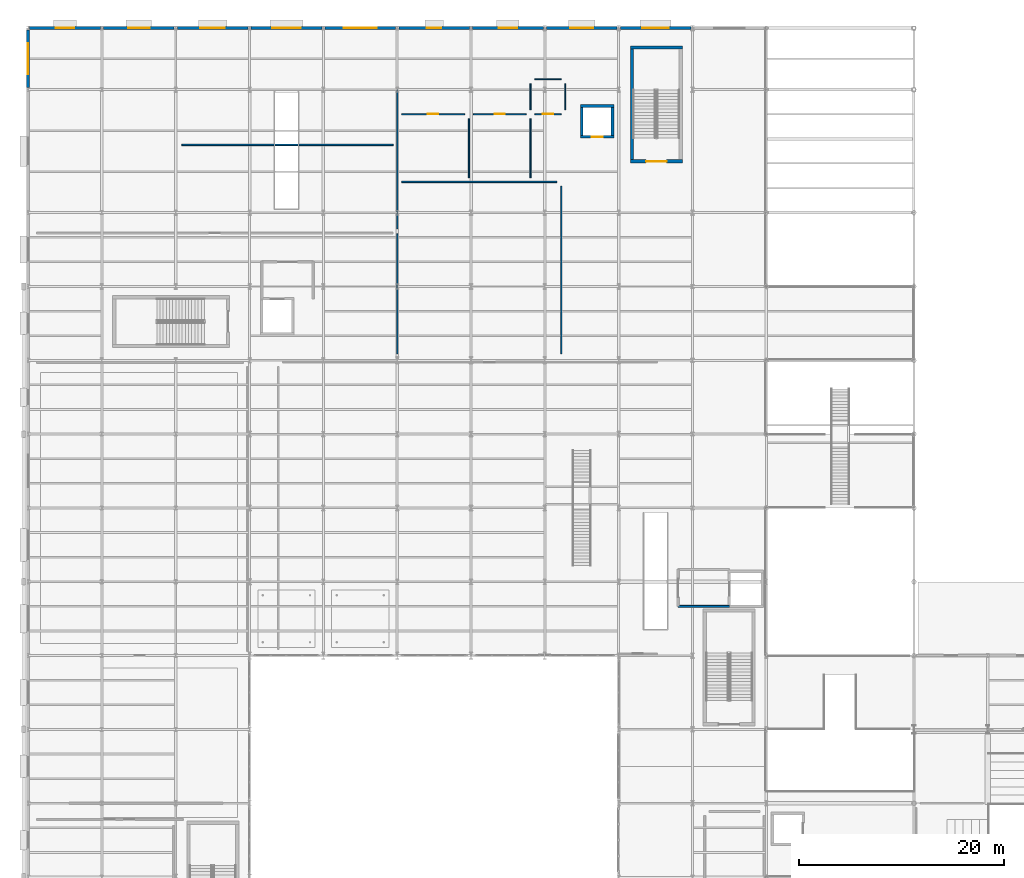
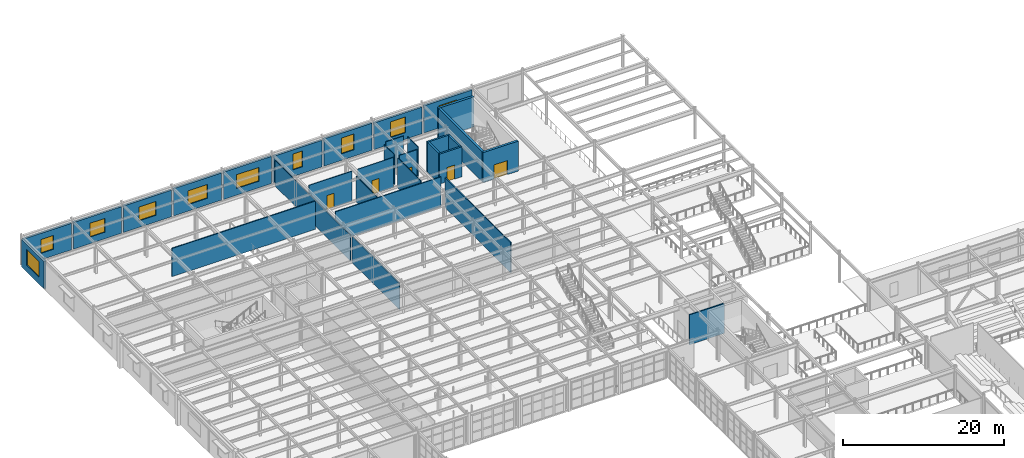
# One storey, part 97 of 121: 31 walls, 10 windows, 5 doors, 15 openings.
"""IFC4 building model written with IfcOpenShell, lengths in metres."""

from ifc_helpers import new_model, si_unit, direction, frame, frame_2d, origin, place, context, subcontext, project, spatial, rectangle, extrude, material, layer, layer_set, type_object, element, fill, save


model = new_model("IFC4")

# Units and contexts
model_context = context("Model", 3, precision=1e-05, world=origin(), true_north=direction((0.0, 1.0)))
body_context = subcontext(model_context, "Body", "Model", "MODEL_VIEW")
ifc_project = project(units=[si_unit("LENGTHUNIT", "METRE"), si_unit("AREAUNIT", "SQUARE_METRE"), si_unit("VOLUMEUNIT", "CUBIC_METRE"), si_unit("PLANEANGLEUNIT", "RADIAN"), si_unit("MASSUNIT", "GRAM", prefix="KILO")], contexts=[model_context])

# Site, building, storey
site_placement = place(None, origin())
site = spatial("IfcSite", under=ifc_project, at=site_placement, CompositionType="ELEMENT")
building_placement = place(site_placement, origin())
building = spatial("IfcBuilding", under=site, at=building_placement, Name="Solvadek Multi-Sports Hall", CompositionType="ELEMENT")
storey_placement = place(building_placement, frame((0.0, 0.0, 4.800048828125)))
storey = spatial("IfcBuildingStorey", under=building, at=storey_placement, Name="L01", CompositionType="ELEMENT", Elevation=4.800048828125)

# Wall, opening, window
ifc_material_1 = material(Name="Dressed honey-cream limestone ashlar", Category="masonry")
ifc_layer_1 = layer(ifc_material_1, 0.300048828125, Name="Dressed honey-cream limestone ashlar")
ifc_layer_set_1 = layer_set([ifc_layer_1], Name="Dressed honey-cream limestone ashlar")
wall_type_1 = type_object("IfcWallType", Name="ENV-WAL-EXT300", PredefinedType="SOLIDWALL", material=ifc_layer_set_1)
wall_1_placement = place(storey_placement, frame((0.0, 104.583984375, 0.0), z_axis=(0.0, 0.0, 1.0), x_axis=(0.0, 1.0, 0.0)))
wall_1 = element("IfcWall", 1, at=wall_1_placement, inside=storey, type_object=wall_type_1, Name="L01 Exterior Masonry Wall #163", PredefinedType="SOLIDWALL", context=body_context, shape_type="SweptSolid", body=[
    extrude(rectangle(XDim=5.632080078125, YDim=0.300048828125, at=frame_2d((2.81591796875, 0.0))), origin(), (0.0, 0.0, 1.0), 4.14501953125),
])
opening_1_placement = place(wall_1_placement, frame((1.31591796875, 0.0, 1.0)))
opening_1 = element("IfcOpeningElement", 2, at=opening_1_placement, cuts=wall_1, Name="Opening WN-20", PredefinedType="OPENING", context=body_context, shape_type="SweptSolid", body=[
    extrude(rectangle(XDim=3.0, YDim=2.39990234375, at=frame_2d((1.5, 1.199951171875))), frame((0.0, 0.159912109375, 0.0), z_axis=(0.0, -1.0, 0.0), x_axis=(1.0, 0.0, 0.0)), (0.0, 0.0, 1.0), 0.320068359375),
])
ifc_material_2 = material(Name="Tempered laminated low-E glass", Category="glass")
window_type_1 = type_object("IfcWindowType", Name="ENV-WIN-WN-20", PartitioningType="SINGLE_PANEL", PredefinedType="WINDOW", material=ifc_material_2)
window_1_placement = place(opening_1_placement, origin())
window_1 = element("IfcWindow", 3, at=window_1_placement, inside=storey, type_object=window_type_1, Name="L01 Facade Window WN-20 #51", OverallHeight=2.39990234375, OverallWidth=3.0, PartitioningType="SINGLE_PANEL", PredefinedType="WINDOW", context=body_context, shape_type="SweptSolid", body=[
    extrude(rectangle(XDim=3.0, YDim=2.39990234375, at=frame_2d((1.5, 1.199951171875))), frame((0.0, 0.030029296875, 0.0), z_axis=(0.0, -1.0, 0.0), x_axis=(1.0, 0.0, 0.0)), (0.0, 0.0, 1.0), 0.06005859375),
])
fill(opening_1, window_1)

wall_2_placement = place(storey_placement, frame((0.154052734375, 110.39990234375, 0.0), z_axis=(0.0, 0.0, 1.0), x_axis=(1.0, 0.0, 0.0)))
wall_2 = element("IfcWall", 4, at=wall_2_placement, inside=storey, type_object=wall_type_1, Name="L01 Exterior Masonry Wall #166", PredefinedType="SOLIDWALL", context=body_context, shape_type="SweptSolid", body=[
    extrude(rectangle(XDim=6.891845703125, YDim=0.300048828125, at=frame_2d((3.44580078125, 0.0))), origin(), (0.0, 0.0, 1.0), 4.044921875),
])
opening_2_placement = place(wall_2_placement, frame((2.5458984375, 0.0, 1.0)))
opening_2 = element("IfcOpeningElement", 5, at=opening_2_placement, cuts=wall_2, Name="Opening WN-11", PredefinedType="OPENING", context=body_context, shape_type="SweptSolid", body=[
    extrude(rectangle(XDim=1.800048828125, YDim=2.10009765625, at=frame_2d((0.89990234375, 1.050048828125))), frame((0.0, 0.159912109375, 0.0), z_axis=(0.0, -1.0, 0.0), x_axis=(1.0, 0.0, 0.0)), (0.0, 0.0, 1.0), 0.320068359375),
])
window_type_2 = type_object("IfcWindowType", Name="ENV-WIN-WN-11", PartitioningType="SINGLE_PANEL", PredefinedType="WINDOW", material=ifc_material_2)
window_2_placement = place(opening_2_placement, origin())
window_2 = element("IfcWindow", 6, at=window_2_placement, inside=storey, type_object=window_type_2, Name="L01 Facade Window WN-11 #53", OverallHeight=2.10009765625, OverallWidth=1.800048828125, PartitioningType="SINGLE_PANEL", PredefinedType="WINDOW", context=body_context, shape_type="SweptSolid", body=[
    extrude(rectangle(XDim=1.800048828125, YDim=2.10009765625, at=frame_2d((0.89990234375, 1.050048828125))), frame((0.0, 0.030029296875, 0.0), z_axis=(0.0, -1.0, 0.0), x_axis=(1.0, 0.0, 0.0)), (0.0, 0.0, 1.0), 0.06005859375),
])
fill(opening_2, window_2)

wall_3_placement = place(storey_placement, frame((7.35400390625, 110.39990234375, 0.0), z_axis=(0.0, 0.0, 1.0), x_axis=(1.0, 0.0, 0.0)))
wall_3 = element("IfcWall", 7, at=wall_3_placement, inside=storey, type_object=wall_type_1, Name="L01 Exterior Masonry Wall #169", PredefinedType="SOLIDWALL", context=body_context, shape_type="SweptSolid", body=[
    extrude(rectangle(XDim=6.89208984375, YDim=0.300048828125, at=frame_2d((3.446044921875, 0.0))), origin(), (0.0, 0.0, 1.0), 4.044921875),
])
opening_3_placement = place(wall_3_placement, frame((2.39599609375, 0.0, 1.0)))
opening_3 = element("IfcOpeningElement", 8, at=opening_3_placement, cuts=wall_3, Name="Opening WN-12", PredefinedType="OPENING", context=body_context, shape_type="SweptSolid", body=[
    extrude(rectangle(XDim=2.10009765625, YDim=2.10009765625, at=frame_2d((1.050048828125, 1.050048828125))), frame((0.0, 0.159912109375, 0.0), z_axis=(0.0, -1.0, 0.0), x_axis=(1.0, 0.0, 0.0)), (0.0, 0.0, 1.0), 0.320068359375),
])
window_type_3 = type_object("IfcWindowType", Name="ENV-WIN-WN-12", PartitioningType="SINGLE_PANEL", PredefinedType="WINDOW", material=ifc_material_2)
window_3_placement = place(opening_3_placement, origin())
window_3 = element("IfcWindow", 9, at=window_3_placement, inside=storey, type_object=window_type_3, Name="L01 Facade Window WN-12 #56", OverallHeight=2.10009765625, OverallWidth=2.10009765625, PartitioningType="SINGLE_PANEL", PredefinedType="WINDOW", context=body_context, shape_type="SweptSolid", body=[
    extrude(rectangle(XDim=2.10009765625, YDim=2.10009765625, at=frame_2d((1.050048828125, 1.050048828125))), frame((0.0, 0.030029296875, 0.0), z_axis=(0.0, -1.0, 0.0), x_axis=(1.0, 0.0, 0.0)), (0.0, 0.0, 1.0), 0.06005859375),
])
fill(opening_3, window_3)

wall_4_placement = place(storey_placement, frame((14.553955078125, 110.39990234375, 0.0), z_axis=(0.0, 0.0, 1.0), x_axis=(1.0, 0.0, 0.0)))
wall_4 = element("IfcWall", 10, at=wall_4_placement, inside=storey, type_object=wall_type_1, Name="L01 Exterior Masonry Wall #172", PredefinedType="SOLIDWALL", context=body_context, shape_type="SweptSolid", body=[
    extrude(rectangle(XDim=6.89208984375, YDim=0.300048828125, at=frame_2d((3.446044921875, 0.0))), origin(), (0.0, 0.0, 1.0), 4.044921875),
])
opening_4_placement = place(wall_4_placement, frame((2.24609375, 0.0, 1.0)))
opening_4 = element("IfcOpeningElement", 11, at=opening_4_placement, cuts=wall_4, Name="Opening WN-13", PredefinedType="OPENING", context=body_context, shape_type="SweptSolid", body=[
    extrude(rectangle(XDim=2.39990234375, YDim=2.10009765625, at=frame_2d((1.199951171875, 1.050048828125))), frame((0.0, 0.159912109375, 0.0), z_axis=(0.0, -1.0, 0.0), x_axis=(1.0, 0.0, 0.0)), (0.0, 0.0, 1.0), 0.320068359375),
])
window_type_4 = type_object("IfcWindowType", Name="ENV-WIN-WN-13", PartitioningType="SINGLE_PANEL", PredefinedType="WINDOW", material=ifc_material_2)
window_4_placement = place(opening_4_placement, origin())
window_4 = element("IfcWindow", 12, at=window_4_placement, inside=storey, type_object=window_type_4, Name="L01 Facade Window WN-13 #58", OverallHeight=2.10009765625, OverallWidth=2.39990234375, PartitioningType="SINGLE_PANEL", PredefinedType="WINDOW", context=body_context, shape_type="SweptSolid", body=[
    extrude(rectangle(XDim=2.39990234375, YDim=2.10009765625, at=frame_2d((1.199951171875, 1.050048828125))), frame((0.0, 0.030029296875, 0.0), z_axis=(0.0, -1.0, 0.0), x_axis=(1.0, 0.0, 0.0)), (0.0, 0.0, 1.0), 0.06005859375),
])
fill(opening_4, window_4)

wall_5_placement = place(storey_placement, frame((21.75390625, 110.39990234375, 0.0), z_axis=(0.0, 0.0, 1.0), x_axis=(1.0, 0.0, 0.0)))
wall_5 = element("IfcWall", 13, at=wall_5_placement, inside=storey, type_object=wall_type_1, Name="L01 Exterior Masonry Wall #175", PredefinedType="SOLIDWALL", context=body_context, shape_type="SweptSolid", body=[
    extrude(rectangle(XDim=6.89208984375, YDim=0.300048828125, at=frame_2d((3.446044921875, 0.0))), origin(), (0.0, 0.0, 1.0), 4.14501953125),
])
opening_5_placement = place(wall_5_placement, frame((2.0458984375, 0.0, 1.0)))
opening_5 = element("IfcOpeningElement", 14, at=opening_5_placement, cuts=wall_5, Name="Opening WN-14", PredefinedType="OPENING", context=body_context, shape_type="SweptSolid", body=[
    extrude(rectangle(XDim=2.800048828125, YDim=2.10009765625, at=frame_2d((1.39990234375, 1.050048828125))), frame((0.0, 0.159912109375, 0.0), z_axis=(0.0, -1.0, 0.0), x_axis=(1.0, 0.0, 0.0)), (0.0, 0.0, 1.0), 0.320068359375),
])
window_type_5 = type_object("IfcWindowType", Name="ENV-WIN-WN-14", PartitioningType="SINGLE_PANEL", PredefinedType="WINDOW", material=ifc_material_2)
window_5_placement = place(opening_5_placement, origin())
window_5 = element("IfcWindow", 15, at=window_5_placement, inside=storey, type_object=window_type_5, Name="L01 Facade Window WN-14 #61", OverallHeight=2.10009765625, OverallWidth=2.800048828125, PartitioningType="SINGLE_PANEL", PredefinedType="WINDOW", context=body_context, shape_type="SweptSolid", body=[
    extrude(rectangle(XDim=2.800048828125, YDim=2.10009765625, at=frame_2d((1.39990234375, 1.050048828125))), frame((0.0, 0.030029296875, 0.0), z_axis=(0.0, -1.0, 0.0), x_axis=(1.0, 0.0, 0.0)), (0.0, 0.0, 1.0), 0.06005859375),
])
fill(opening_5, window_5)

wall_6_placement = place(storey_placement, frame((28.9541015625, 110.39990234375, 0.0), z_axis=(0.0, 0.0, 1.0), x_axis=(1.0, 0.0, 0.0)))
wall_6 = element("IfcWall", 16, at=wall_6_placement, inside=storey, type_object=wall_type_1, Name="L01 Exterior Masonry Wall #178", PredefinedType="SOLIDWALL", context=body_context, shape_type="SweptSolid", body=[
    extrude(rectangle(XDim=6.891845703125, YDim=0.300048828125, at=frame_2d((3.44580078125, 0.0))), origin(), (0.0, 0.0, 1.0), 4.14501953125),
])
opening_6_placement = place(wall_6_placement, frame((1.845947265625, 0.0, 1.0)))
opening_6 = element("IfcOpeningElement", 17, at=opening_6_placement, cuts=wall_6, Name="Opening WN-15", PredefinedType="OPENING", context=body_context, shape_type="SweptSolid", body=[
    extrude(rectangle(XDim=3.199951171875, YDim=2.10009765625, at=frame_2d((1.60009765625, 1.050048828125))), frame((0.0, 0.159912109375, 0.0), z_axis=(0.0, -1.0, 0.0), x_axis=(1.0, 0.0, 0.0)), (0.0, 0.0, 1.0), 0.320068359375),
])
window_type_6 = type_object("IfcWindowType", Name="ENV-WIN-WN-15", PartitioningType="SINGLE_PANEL", PredefinedType="WINDOW", material=ifc_material_2)
window_6_placement = place(opening_6_placement, origin())
window_6 = element("IfcWindow", 18, at=window_6_placement, inside=storey, type_object=window_type_6, Name="L01 Facade Window WN-15 #64", OverallHeight=2.10009765625, OverallWidth=3.199951171875, PartitioningType="SINGLE_PANEL", PredefinedType="WINDOW", context=body_context, shape_type="SweptSolid", body=[
    extrude(rectangle(XDim=3.199951171875, YDim=2.10009765625, at=frame_2d((1.60009765625, 1.050048828125))), frame((0.0, 0.030029296875, 0.0), z_axis=(0.0, -1.0, 0.0), x_axis=(1.0, 0.0, 0.0)), (0.0, 0.0, 1.0), 0.06005859375),
])
fill(opening_6, window_6)

wall_7_placement = place(storey_placement, frame((36.154052734375, 110.39990234375, 0.0), z_axis=(0.0, 0.0, 1.0), x_axis=(1.0, 0.0, 0.0)))
wall_7 = element("IfcWall", 19, at=wall_7_placement, inside=storey, type_object=wall_type_1, Name="L01 Exterior Masonry Wall #181", PredefinedType="SOLIDWALL", context=body_context, shape_type="SweptSolid", body=[
    extrude(rectangle(XDim=6.891845703125, YDim=0.300048828125, at=frame_2d((3.44580078125, 0.0))), origin(), (0.0, 0.0, 1.0), 4.044921875),
])
opening_7_placement = place(wall_7_placement, frame((2.74609375, 0.0, 1.0)))
opening_7 = element("IfcOpeningElement", 20, at=opening_7_placement, cuts=wall_7, Name="Opening WN-16", PredefinedType="OPENING", context=body_context, shape_type="SweptSolid", body=[
    extrude(rectangle(XDim=1.39990234375, YDim=2.39990234375, at=frame_2d((0.699951171875, 1.199951171875))), frame((0.0, 0.159912109375, 0.0), z_axis=(0.0, -1.0, 0.0), x_axis=(1.0, 0.0, 0.0)), (0.0, 0.0, 1.0), 0.320068359375),
])
window_type_7 = type_object("IfcWindowType", Name="ENV-WIN-WN-16", PartitioningType="SINGLE_PANEL", PredefinedType="WINDOW", material=ifc_material_2)
window_7_placement = place(opening_7_placement, origin())
window_7 = element("IfcWindow", 21, at=window_7_placement, inside=storey, type_object=window_type_7, Name="L01 Facade Window WN-16 #66", OverallHeight=2.39990234375, OverallWidth=1.39990234375, PartitioningType="SINGLE_PANEL", PredefinedType="WINDOW", context=body_context, shape_type="SweptSolid", body=[
    extrude(rectangle(XDim=1.39990234375, YDim=2.39990234375, at=frame_2d((0.699951171875, 1.199951171875))), frame((0.0, 0.030029296875, 0.0), z_axis=(0.0, -1.0, 0.0), x_axis=(1.0, 0.0, 0.0)), (0.0, 0.0, 1.0), 0.06005859375),
])
fill(opening_7, window_7)

wall_8_placement = place(storey_placement, frame((43.35400390625, 110.39990234375, 0.0), z_axis=(0.0, 0.0, 1.0), x_axis=(1.0, 0.0, 0.0)))
wall_8 = element("IfcWall", 22, at=wall_8_placement, inside=storey, type_object=wall_type_1, Name="L01 Exterior Masonry Wall #184", PredefinedType="SOLIDWALL", context=body_context, shape_type="SweptSolid", body=[
    extrude(rectangle(XDim=6.89208984375, YDim=0.300048828125, at=frame_2d((3.446044921875, 0.0))), origin(), (0.0, 0.0, 1.0), 4.14501953125),
])
opening_8_placement = place(wall_8_placement, frame((2.5458984375, 0.0, 1.0)))
opening_8 = element("IfcOpeningElement", 23, at=opening_8_placement, cuts=wall_8, Name="Opening WN-17", PredefinedType="OPENING", context=body_context, shape_type="SweptSolid", body=[
    extrude(rectangle(XDim=1.800048828125, YDim=2.39990234375, at=frame_2d((0.89990234375, 1.199951171875))), frame((0.0, 0.159912109375, 0.0), z_axis=(0.0, -1.0, 0.0), x_axis=(1.0, 0.0, 0.0)), (0.0, 0.0, 1.0), 0.320068359375),
])
window_type_8 = type_object("IfcWindowType", Name="ENV-WIN-WN-17", PartitioningType="SINGLE_PANEL", PredefinedType="WINDOW", material=ifc_material_2)
window_8_placement = place(opening_8_placement, origin())
window_8 = element("IfcWindow", 24, at=window_8_placement, inside=storey, type_object=window_type_8, Name="L01 Facade Window WN-17 #69", OverallHeight=2.39990234375, OverallWidth=1.800048828125, PartitioningType="SINGLE_PANEL", PredefinedType="WINDOW", context=body_context, shape_type="SweptSolid", body=[
    extrude(rectangle(XDim=1.800048828125, YDim=2.39990234375, at=frame_2d((0.89990234375, 1.199951171875))), frame((0.0, 0.030029296875, 0.0), z_axis=(0.0, -1.0, 0.0), x_axis=(1.0, 0.0, 0.0)), (0.0, 0.0, 1.0), 0.06005859375),
])
fill(opening_8, window_8)

wall_9_placement = place(storey_placement, frame((50.553955078125, 110.39990234375, 0.0), z_axis=(0.0, 0.0, 1.0), x_axis=(1.0, 0.0, 0.0)))
wall_9 = element("IfcWall", 25, at=wall_9_placement, inside=storey, type_object=wall_type_1, Name="L01 Exterior Masonry Wall #187", PredefinedType="SOLIDWALL", context=body_context, shape_type="SweptSolid", body=[
    extrude(rectangle(XDim=6.89208984375, YDim=0.300048828125, at=frame_2d((3.446044921875, 0.0))), origin(), (0.0, 0.0, 1.0), 4.044921875),
])
opening_9_placement = place(wall_9_placement, frame((2.345947265625, 0.0, 1.0)))
opening_9 = element("IfcOpeningElement", 26, at=opening_9_placement, cuts=wall_9, Name="Opening WN-18", PredefinedType="OPENING", context=body_context, shape_type="SweptSolid", body=[
    extrude(rectangle(XDim=2.199951171875, YDim=2.39990234375, at=frame_2d((1.10009765625, 1.199951171875))), frame((0.0, 0.159912109375, 0.0), z_axis=(0.0, -1.0, 0.0), x_axis=(1.0, 0.0, 0.0)), (0.0, 0.0, 1.0), 0.320068359375),
])
window_type_9 = type_object("IfcWindowType", Name="ENV-WIN-WN-18", PartitioningType="SINGLE_PANEL", PredefinedType="WINDOW", material=ifc_material_2)
window_9_placement = place(opening_9_placement, origin())
window_9 = element("IfcWindow", 27, at=window_9_placement, inside=storey, type_object=window_type_9, Name="L01 Facade Window WN-18 #72", OverallHeight=2.39990234375, OverallWidth=2.199951171875, PartitioningType="SINGLE_PANEL", PredefinedType="WINDOW", context=body_context, shape_type="SweptSolid", body=[
    extrude(rectangle(XDim=2.199951171875, YDim=2.39990234375, at=frame_2d((1.10009765625, 1.199951171875))), frame((0.0, 0.030029296875, 0.0), z_axis=(0.0, -1.0, 0.0), x_axis=(1.0, 0.0, 0.0)), (0.0, 0.0, 1.0), 0.06005859375),
])
fill(opening_9, window_9)

wall_10_placement = place(storey_placement, frame((57.75390625, 110.39990234375, 0.0), z_axis=(0.0, 0.0, 1.0), x_axis=(1.0, 0.0, 0.0)))
wall_10 = element("IfcWall", 28, at=wall_10_placement, inside=storey, type_object=wall_type_1, Name="L01 Exterior Masonry Wall #190", PredefinedType="SOLIDWALL", context=body_context, shape_type="SweptSolid", body=[
    extrude(rectangle(XDim=6.89208984375, YDim=0.300048828125, at=frame_2d((3.446044921875, 0.0))), origin(), (0.0, 0.0, 1.0), 4.14501953125),
])
opening_10_placement = place(wall_10_placement, frame((2.14599609375, 0.0, 1.0)))
opening_10 = element("IfcOpeningElement", 29, at=opening_10_placement, cuts=wall_10, Name="Opening WN-19", PredefinedType="OPENING", context=body_context, shape_type="SweptSolid", body=[
    extrude(rectangle(XDim=2.60009765625, YDim=2.39990234375, at=frame_2d((1.300048828125, 1.199951171875))), frame((0.0, 0.159912109375, 0.0), z_axis=(0.0, -1.0, 0.0), x_axis=(1.0, 0.0, 0.0)), (0.0, 0.0, 1.0), 0.320068359375),
])
window_type_10 = type_object("IfcWindowType", Name="ENV-WIN-WN-19", PartitioningType="SINGLE_PANEL", PredefinedType="WINDOW", material=ifc_material_2)
window_10_placement = place(opening_10_placement, origin())
window_10 = element("IfcWindow", 30, at=window_10_placement, inside=storey, type_object=window_type_10, Name="L01 Facade Window WN-19 #74", OverallHeight=2.39990234375, OverallWidth=2.60009765625, PartitioningType="SINGLE_PANEL", PredefinedType="WINDOW", context=body_context, shape_type="SweptSolid", body=[
    extrude(rectangle(XDim=2.60009765625, YDim=2.39990234375, at=frame_2d((1.300048828125, 1.199951171875))), frame((0.0, 0.030029296875, 0.0), z_axis=(0.0, -1.0, 0.0), x_axis=(1.0, 0.0, 0.0)), (0.0, 0.0, 1.0), 0.06005859375),
])
fill(opening_10, window_10)

# Wall
ifc_material_3 = material(Name="Teak hardwood timber", Category="wood")
ifc_layer_2 = layer(ifc_material_3, 0.14990234375, Name="Teak hardwood timber")
ifc_layer_set_2 = layer_set([ifc_layer_2], Name="Teak hardwood timber")
wall_type_2 = type_object("IfcWallType", Name="INT-WAL-MOV150", PredefinedType="MOVABLE", material=ifc_layer_set_2)
wall_11_placement = place(storey_placement, frame((15.0, 99.0, 0.0), z_axis=(0.0, 0.0, 1.0), x_axis=(1.0, 0.0, 0.0)))
element("IfcWall", 31, at=wall_11_placement, inside=storey, type_object=wall_type_2, Name="L01 Movable Acoustic Hall Partition #2", PredefinedType="MOVABLE", context=body_context, shape_type="SweptSolid", body=[
    extrude(rectangle(XDim=20.60009765625, YDim=0.14990234375, at=frame_2d((10.300048828125, 0.0))), origin(), (0.0, 0.0, 1.0), 4.284912109375),
])

# Wall, opening, door
ifc_material_4 = material(Name="Autoclaved aerated concrete blockwork", Category="masonry")
ifc_layer_3 = layer(ifc_material_4, 0.10498046875, Name="Autoclaved aerated concrete blockwork")
ifc_layer_set_3 = layer_set([ifc_layer_3], Name="Autoclaved aerated concrete blockwork")
wall_type_3 = type_object("IfcWallType", Name="INT-WAL-PRT105", PredefinedType="PARTITIONING", material=ifc_layer_set_3)
wall_12_placement = place(storey_placement, frame((36.425048828125, 102.0, 0.0), z_axis=(0.0, 0.0, 1.0), x_axis=(1.0, 0.0, 0.0)))
wall_12 = element("IfcWall", 32, at=wall_12_placement, inside=storey, type_object=wall_type_3, Name="L01 Partition Wall L01-20 N", PredefinedType="PARTITIONING", context=body_context, shape_type="SweptSolid", body=[
    extrude(rectangle(XDim=6.155029296875, YDim=0.10498046875, at=frame_2d((3.07763671875, 0.0))), origin(), (0.0, 0.0, 1.0), 4.544921875),
])
opening_11_placement = place(wall_12_placement, frame((2.574951171875, 0.0, 0.0)))
opening_11 = element("IfcOpeningElement", 33, at=opening_11_placement, cuts=wall_12, Name="Opening D-01", PredefinedType="OPENING", context=body_context, shape_type="SweptSolid", body=[
    extrude(rectangle(XDim=1.0, YDim=2.10009765625, at=frame_2d((0.5, 1.050048828125))), frame((0.0, 0.0625, 0.0), z_axis=(0.0, -1.0, 0.0), x_axis=(1.0, 0.0, 0.0)), (0.0, 0.0, 1.0), 0.125),
])
door_type_1 = type_object("IfcDoorType", Name="INT-DOR-RM100X210", OperationType="NOTDEFINED", PredefinedType="DOOR", material=ifc_material_3)
door_1_placement = place(opening_11_placement, frame((1.0, 0.0, 0.0), z_axis=(0.0, 0.0, 1.0), x_axis=(-1.0, 0.0, 0.0)))
door_1 = element("IfcDoor", 34, at=door_1_placement, inside=storey, type_object=door_type_1, Name="L01 L01-20 Door #8", OperationType="SINGLE_SWING_LEFT", OverallHeight=2.10009765625, OverallWidth=1.0, PredefinedType="DOOR", context=body_context, shape_type="SweptSolid", body=[
    extrude(rectangle(XDim=1.0, YDim=2.10009765625, at=frame_2d((0.5, 1.050048828125))), frame((0.0, 0.02490234375, 0.0), z_axis=(0.0, -1.0, 0.0), x_axis=(1.0, 0.0, 0.0)), (0.0, 0.0, 1.0), 0.050048828125),
])
fill(opening_11, door_1)

# Wall
wall_13_placement = place(storey_placement, frame((43.0, 95.824951171875, 0.0), z_axis=(0.0, 0.0, 1.0), x_axis=(0.0, 1.0, 0.0)))
element("IfcWall", 35, at=wall_13_placement, inside=storey, type_object=wall_type_3, Name="L01 Partition Wall L01-20 E", PredefinedType="PARTITIONING", context=body_context, shape_type="SweptSolid", body=[
    extrude(rectangle(XDim=5.755126953125, YDim=0.10498046875, at=frame_2d((2.87744140625, 0.0))), origin(), (0.0, 0.0, 1.0), 3.889892578125),
])

# Wall, opening, door
wall_14_placement = place(storey_placement, frame((43.425048828125, 102.0, 0.0), z_axis=(0.0, 0.0, 1.0), x_axis=(1.0, 0.0, 0.0)))
wall_14 = element("IfcWall", 36, at=wall_14_placement, inside=storey, type_object=wall_type_3, Name="L01 Partition Wall L01-21 N", PredefinedType="PARTITIONING", context=body_context, shape_type="SweptSolid", body=[
    extrude(rectangle(XDim=5.155029296875, YDim=0.10498046875, at=frame_2d((2.57763671875, 0.0))), origin(), (0.0, 0.0, 1.0), 4.544921875),
])
opening_12_placement = place(wall_14_placement, frame((2.074951171875, 0.0, 0.0)))
opening_12 = element("IfcOpeningElement", 37, at=opening_12_placement, cuts=wall_14, Name="Opening D-01", PredefinedType="OPENING", context=body_context, shape_type="SweptSolid", body=[
    extrude(rectangle(XDim=1.0, YDim=2.10009765625, at=frame_2d((0.5, 1.050048828125))), frame((0.0, 0.0625, 0.0), z_axis=(0.0, -1.0, 0.0), x_axis=(1.0, 0.0, 0.0)), (0.0, 0.0, 1.0), 0.125),
])
door_2_placement = place(opening_12_placement, frame((1.0, 0.0, 0.0), z_axis=(0.0, 0.0, 1.0), x_axis=(-1.0, 0.0, 0.0)))
door_2 = element("IfcDoor", 38, at=door_2_placement, inside=storey, type_object=door_type_1, Name="L01 L01-21 Door #9", OperationType="SINGLE_SWING_RIGHT", OverallHeight=2.10009765625, OverallWidth=1.0, PredefinedType="DOOR", context=body_context, shape_type="SweptSolid", body=[
    extrude(rectangle(XDim=1.0, YDim=2.10009765625, at=frame_2d((0.5, 1.050048828125))), frame((0.0, 0.02490234375, 0.0), z_axis=(0.0, -1.0, 0.0), x_axis=(1.0, 0.0, 0.0)), (0.0, 0.0, 1.0), 0.050048828125),
])
fill(opening_12, door_2)

# Wall
wall_15_placement = place(storey_placement, frame((49.0, 95.824951171875, 0.0), z_axis=(0.0, 0.0, 1.0), x_axis=(0.0, 1.0, 0.0)))
element("IfcWall", 39, at=wall_15_placement, inside=storey, type_object=wall_type_3, Name="L01 Partition Wall L01-21 E", PredefinedType="PARTITIONING", context=body_context, shape_type="SweptSolid", body=[
    extrude(rectangle(XDim=5.755126953125, YDim=0.10498046875, at=frame_2d((2.87744140625, 0.0))), origin(), (0.0, 0.0, 1.0), 4.544921875),
])

# Wall, opening, door
wall_16_placement = place(storey_placement, frame((49.419921875, 102.0, 0.0), z_axis=(0.0, 0.0, 1.0), x_axis=(1.0, 0.0, 0.0)))
wall_16 = element("IfcWall", 40, at=wall_16_placement, inside=storey, type_object=wall_type_3, Name="L01 Partition Wall L01-22 S", PredefinedType="PARTITIONING", context=body_context, shape_type="SweptSolid", body=[
    extrude(rectangle(XDim=2.56005859375, YDim=0.10498046875, at=frame_2d((1.280029296875, 0.0))), origin(), (0.0, 0.0, 1.0), 4.544921875),
])
opening_13_placement = place(wall_16_placement, frame((0.7548828125, 0.0, 0.0)))
opening_13 = element("IfcOpeningElement", 41, at=opening_13_placement, cuts=wall_16, Name="Opening D-ACC", PredefinedType="OPENING", context=body_context, shape_type="SweptSolid", body=[
    extrude(rectangle(XDim=1.050048828125, YDim=2.14990234375, at=frame_2d((0.52490234375, 1.074951171875))), frame((0.0, 0.0625, 0.0), z_axis=(0.0, -1.0, 0.0), x_axis=(1.0, 0.0, 0.0)), (0.0, 0.0, 1.0), 0.125),
])
door_type_2 = type_object("IfcDoorType", Name="INT-DOR-ACC105X215", OperationType="NOTDEFINED", PredefinedType="DOOR", material=ifc_material_3)
door_3_placement = place(opening_13_placement, origin())
door_3 = element("IfcDoor", 42, at=door_3_placement, inside=storey, type_object=door_type_2, Name="L01 L01-22 Door #47", OperationType="SINGLE_SWING_RIGHT", OverallHeight=2.14990234375, OverallWidth=1.050048828125, PredefinedType="DOOR", context=body_context, shape_type="SweptSolid", body=[
    extrude(rectangle(XDim=1.050048828125, YDim=2.14990234375, at=frame_2d((0.52490234375, 1.074951171875))), frame((0.0, 0.02490234375, 0.0), z_axis=(0.0, -1.0, 0.0), x_axis=(1.0, 0.0, 0.0)), (0.0, 0.0, 1.0), 0.050048828125),
])
fill(opening_13, door_3)

# Walls
for number, where, z_axis, x_axis, name in (
    (43, (49.419921875, 105.39990234375, 0.0), (0.0, 0.0, 1.0), (1.0, 0.0, 0.0), "L01 Partition Wall L01-22 N"),
    (44, (49.0, 102.419921875, 0.0), (0.0, 0.0, 1.0), (0.0, 1.0, 0.0), "L01 Partition Wall L01-22 W"),
    (45, (52.39990234375, 102.419921875, 0.0), (0.0, 0.0, 1.0), (0.0, 1.0, 0.0), "L01 Partition Wall L01-22 E"),
):
    element("IfcWall", number, at=place(storey_placement, frame(where, z_axis=z_axis, x_axis=x_axis)), inside=storey, type_object=wall_type_3, Name=name, PredefinedType="PARTITIONING", context=body_context, shape_type="SweptSolid", body=[
        extrude(rectangle(XDim=2.56005859375, YDim=0.10498046875, at=frame_2d((1.280029296875, 0.0))), origin(), (0.0, 0.0, 1.0), 4.544921875),
    ])
ifc_layer_4 = layer(ifc_material_4, 0.135009765625, Name="Autoclaved aerated concrete blockwork")
ifc_layer_set_4 = layer_set([ifc_layer_4], Name="Autoclaved aerated concrete blockwork")
wall_type_4 = type_object("IfcWallType", Name="INT-WAL-PRT135", PredefinedType="PARTITIONING", material=ifc_layer_set_4)
wall_17_placement = place(storey_placement, frame((36.0, 90.820068359375, 0.0), z_axis=(0.0, 0.0, 1.0), x_axis=(0.0, 1.0, 0.0)))
element("IfcWall", 46, at=wall_17_placement, inside=storey, type_object=wall_type_4, Name="L01 Partition Wall L01-18 E", PredefinedType="PARTITIONING", context=body_context, shape_type="SweptSolid", body=[
    extrude(rectangle(XDim=18.760009765625, YDim=0.135009765625, at=frame_2d((9.3798828125, 0.0))), origin(), (0.0, 0.0, 1.0), 3.889892578125),
])
wall_18_placement = place(storey_placement, frame((36.419921875, 95.39990234375, 0.0), z_axis=(0.0, 0.0, 1.0), x_axis=(1.0, 0.0, 0.0)))
element("IfcWall", 47, at=wall_18_placement, inside=storey, type_object=wall_type_4, Name="L01 Partition Wall L01-19 N", PredefinedType="PARTITIONING", context=body_context, shape_type="SweptSolid", body=[
    extrude(rectangle(XDim=15.16015625, YDim=0.135009765625, at=frame_2d((7.580078125, 0.0))), origin(), (0.0, 0.0, 1.0), 4.544921875),
])
wall_19_placement = place(storey_placement, frame((36.0, 78.6201171875, 0.0), z_axis=(0.0, 0.0, 1.0), x_axis=(0.0, 1.0, 0.0)))
element("IfcWall", 48, at=wall_19_placement, inside=storey, type_object=wall_type_4, Name="L01 Partition Wall L01-19 W", PredefinedType="PARTITIONING", context=body_context, shape_type="SweptSolid", body=[
    extrude(rectangle(XDim=11.719970703125, YDim=0.135009765625, at=frame_2d((5.85986328125, 0.0))), origin(), (0.0, 0.0, 1.0), 3.989990234375),
])
wall_20_placement = place(storey_placement, frame((52.0, 78.6201171875, 0.0), z_axis=(0.0, 0.0, 1.0), x_axis=(0.0, 1.0, 0.0)))
element("IfcWall", 49, at=wall_20_placement, inside=storey, type_object=wall_type_4, Name="L01 Partition Wall L01-19 E", PredefinedType="PARTITIONING", context=body_context, shape_type="SweptSolid", body=[
    extrude(rectangle(XDim=16.35986328125, YDim=0.135009765625, at=frame_2d((8.179931640625, 0.0))), origin(), (0.0, 0.0, 1.0), 4.544921875),
])
ifc_layer_5 = layer(ifc_material_4, 0.179931640625, Name="Autoclaved aerated concrete blockwork")
ifc_layer_set_5 = layer_set([ifc_layer_5], Name="Autoclaved aerated concrete blockwork")
wall_type_5 = type_object("IfcWallType", Name="INT-WAL-PRT180", PredefinedType="PARTITIONING", material=ifc_layer_set_5)
wall_21_placement = place(storey_placement, frame((63.39990234375, 54.0, 0.0), z_axis=(0.0, 0.0, 1.0), x_axis=(1.0, 0.0, 0.0)))
element("IfcWall", 50, at=wall_21_placement, inside=storey, type_object=wall_type_5, Name="L01 Firefighting Lobby LF-02 Rated Wall S", PredefinedType="PARTITIONING", context=body_context, shape_type="SweptSolid", body=[
    extrude(rectangle(XDim=5.0, YDim=0.179931640625, at=frame_2d((2.5, 0.0))), origin(), (0.0, 0.0, 1.0), 4.544921875),
])

# Wall, opening, door
ifc_material_5 = material(Name="Concrete M40", Category="concrete")
ifc_layer_6 = layer(ifc_material_5, 0.260009765625, Name="Concrete M40")
ifc_layer_set_6 = layer_set([ifc_layer_6], Name="Concrete M40")
wall_type_6 = type_object("IfcWallType", Name="INT-WAL-SHR260", PredefinedType="SHEAR", material=ifc_layer_set_6)
wall_22_placement = place(storey_placement, frame((53.8701171875, 99.800048828125, 0.0), z_axis=(0.0, 0.0, 1.0), x_axis=(1.0, 0.0, 0.0)))
wall_22 = element("IfcWall", 51, at=wall_22_placement, inside=storey, type_object=wall_type_6, Name="Lift LP-01 Shaft Shear Wall L01 south", PredefinedType="SHEAR", context=body_context, shape_type="SweptSolid", body=[
    extrude(rectangle(XDim=3.259765625, YDim=0.260009765625, at=frame_2d((1.6298828125, 0.0))), origin(), (0.0, 0.0, 1.0), 4.56005859375),
])
opening_14_placement = place(wall_22_placement, frame((1.080078125, 0.0, 0.0)))
opening_14 = element("IfcOpeningElement", 52, at=opening_14_placement, cuts=wall_22, Name="Opening LD-13", PredefinedType="OPENING", context=body_context, shape_type="SweptSolid", body=[
    extrude(rectangle(XDim=1.10009765625, YDim=2.14990234375, at=frame_2d((0.550048828125, 1.074951171875))), frame((0.0, 0.139892578125, 0.0), z_axis=(0.0, -1.0, 0.0), x_axis=(1.0, 0.0, 0.0)), (0.0, 0.0, 1.0), 0.280029296875),
])
ifc_material_6 = material(Name="Anodised aluminium", Category="aluminium")
door_type_3 = type_object("IfcDoorType", Name="INT-DOR-LD110X215", OperationType="DOUBLE_DOOR_SLIDING", PredefinedType="DOOR", material=ifc_material_6)
door_4_placement = place(opening_14_placement, origin())
door_4 = element("IfcDoor", 53, at=door_4_placement, inside=storey, type_object=door_type_3, Name="L01 Lift LP-01 Sliding Landing Door LD-13", OperationType="DOUBLE_DOOR_SLIDING", OverallHeight=2.14990234375, OverallWidth=1.10009765625, PredefinedType="DOOR", context=body_context, shape_type="SweptSolid", body=[
    extrude(rectangle(XDim=1.10009765625, YDim=2.14990234375, at=frame_2d((0.550048828125, 1.074951171875))), frame((0.0, 0.02490234375, 0.0), z_axis=(0.0, -1.0, 0.0), x_axis=(1.0, 0.0, 0.0)), (0.0, 0.0, 1.0), 0.050048828125),
])
fill(opening_14, door_4)

# Walls
wall_23_placement = place(storey_placement, frame((53.8701171875, 102.800048828125, 0.0), z_axis=(0.0, 0.0, 1.0), x_axis=(1.0, 0.0, 0.0)))
element("IfcWall", 54, at=wall_23_placement, inside=storey, type_object=wall_type_6, Name="Lift LP-01 Shaft Shear Wall L01 north", PredefinedType="SHEAR", context=body_context, shape_type="SweptSolid", body=[
    extrude(rectangle(XDim=3.259765625, YDim=0.260009765625, at=frame_2d((1.6298828125, 0.0))), origin(), (0.0, 0.0, 1.0), 4.56005859375),
])
for number, where, z_axis, x_axis, name in (
    (55, (54.0, 99.929931640625, 0.0), (0.0, 0.0, 1.0), (0.0, 1.0, 0.0), "Lift LP-01 Shaft Shear Wall L01 west"),
    (56, (57.0, 99.929931640625, 0.0), (0.0, 0.0, 1.0), (0.0, 1.0, 0.0), "Lift LP-01 Shaft Shear Wall L01 east"),
):
    element("IfcWall", number, at=place(storey_placement, frame(where, z_axis=z_axis, x_axis=x_axis)), inside=storey, type_object=wall_type_6, Name=name, PredefinedType="SHEAR", context=body_context, shape_type="SweptSolid", body=[
        extrude(rectangle(XDim=2.739990234375, YDim=0.260009765625, at=frame_2d((1.3701171875, 0.0))), origin(), (0.0, 0.0, 1.0), 4.56005859375),
    ])

# Wall, opening, door
ifc_layer_7 = layer(ifc_material_5, 0.320068359375, Name="Concrete M40")
ifc_layer_set_7 = layer_set([ifc_layer_7], Name="Concrete M40")
wall_type_7 = type_object("IfcWallType", Name="INT-WAL-SHR320", PredefinedType="SHEAR", material=ifc_layer_set_7)
wall_24_placement = place(storey_placement, frame((58.739990234375, 97.39990234375, 0.0), z_axis=(0.0, 0.0, 1.0), x_axis=(1.0, 0.0, 0.0)))
wall_24 = element("IfcWall", 57, at=wall_24_placement, inside=storey, type_object=wall_type_7, Name="L01 Stair ST-03 Shear Wall S", PredefinedType="SHEAR", context=body_context, shape_type="SweptSolid", body=[
    extrude(rectangle(XDim=5.070068359375, YDim=0.320068359375, at=frame_2d((2.53515625, 0.0))), origin(), (0.0, 0.0, 1.0), 4.56005859375),
])
opening_15_placement = place(wall_24_placement, frame((1.534912109375, 0.0, 0.0)))
opening_15 = element("IfcOpeningElement", 58, at=opening_15_placement, cuts=wall_24, Name="Opening FD120", PredefinedType="OPENING", context=body_context, shape_type="SweptSolid", body=[
    extrude(rectangle(XDim=2.0, YDim=2.14990234375, at=frame_2d((1.0, 1.074951171875))), frame((0.0, 0.169921875, 0.0), z_axis=(0.0, -1.0, 0.0), x_axis=(1.0, 0.0, 0.0)), (0.0, 0.0, 1.0), 0.340087890625),
])
ifc_material_7 = material(Name="Steel E250 (250 MPa)", Category="steel")
door_type_4 = type_object("IfcDoorType", Name="INT-DOR-FD200X215", OperationType="DOUBLE_DOOR_SINGLE_SWING", PredefinedType="DOOR", material=ifc_material_7)
door_5_placement = place(opening_15_placement, origin())
door_5 = element("IfcDoor", 59, at=door_5_placement, inside=storey, type_object=door_type_4, Name="L01 Stair ST-03 Fire Door", OperationType="DOUBLE_DOOR_SINGLE_SWING", OverallHeight=2.14990234375, OverallWidth=2.0, PredefinedType="DOOR", context=body_context, shape_type="SweptSolid", body=[
    extrude(rectangle(XDim=2.0, YDim=2.14990234375, at=frame_2d((1.0, 1.074951171875))), frame((0.0, 0.02490234375, 0.0), z_axis=(0.0, -1.0, 0.0), x_axis=(1.0, 0.0, 0.0)), (0.0, 0.0, 1.0), 0.050048828125),
])
fill(opening_15, door_5)

# Walls
wall_25_placement = place(storey_placement, frame((58.739990234375, 108.5, 0.0), z_axis=(0.0, 0.0, 1.0), x_axis=(1.0, 0.0, 0.0)))
element("IfcWall", 60, at=wall_25_placement, inside=storey, type_object=wall_type_7, Name="L01 Stair ST-03 Shear Wall N", PredefinedType="SHEAR", context=body_context, shape_type="SweptSolid", body=[
    extrude(rectangle(XDim=5.070068359375, YDim=0.320068359375, at=frame_2d((2.53515625, 0.0))), origin(), (0.0, 0.0, 1.0), 4.56005859375),
])
wall_26_placement = place(storey_placement, frame((58.89990234375, 97.56005859375, 0.0), z_axis=(0.0, 0.0, 1.0), x_axis=(0.0, 1.0, 0.0)))
element("IfcWall", 61, at=wall_26_placement, inside=storey, type_object=wall_type_7, Name="L01 Stair ST-03 Shear Wall W", PredefinedType="SHEAR", context=body_context, shape_type="SweptSolid", body=[
    extrude(rectangle(XDim=10.780029296875, YDim=0.320068359375, at=frame_2d((5.39013671875, 0.0))), origin(), (0.0, 0.0, 1.0), 4.56005859375),
])

save(model, "model.ifc")
